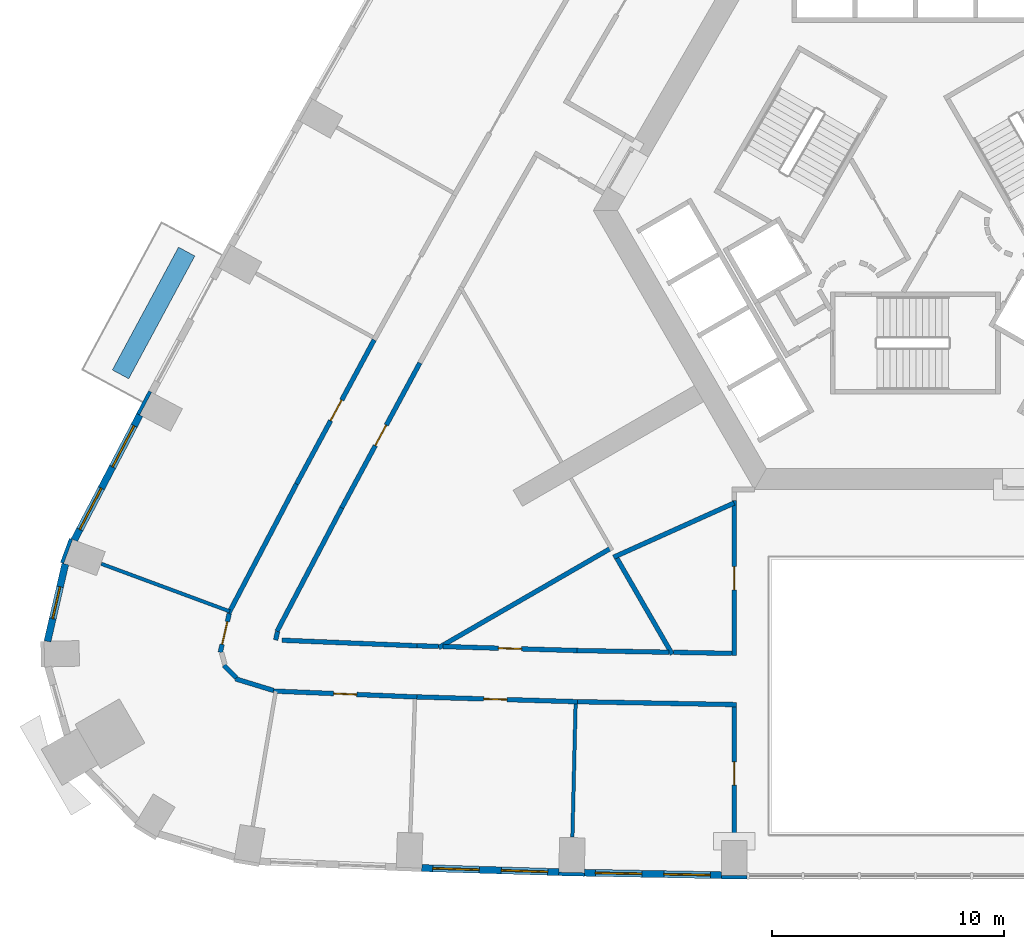
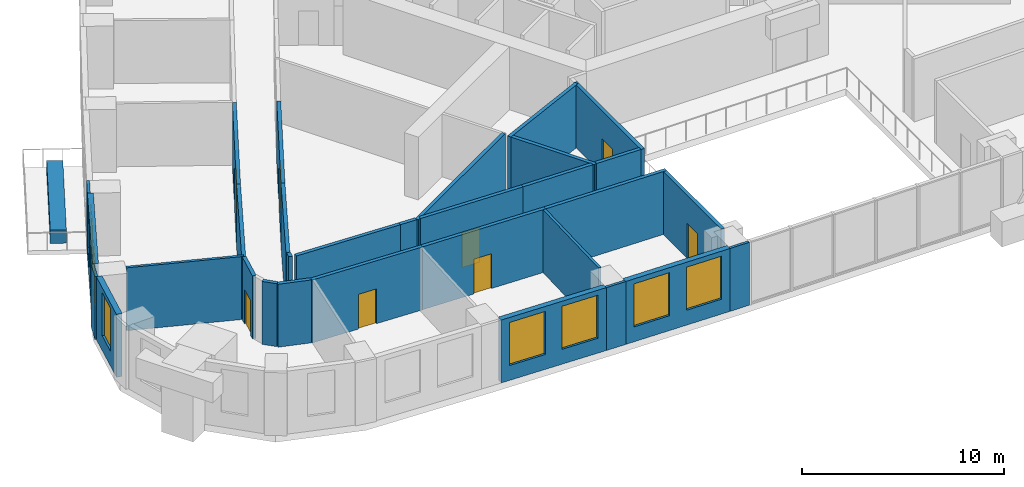
# One storey, part 4 of 16: 32 walls, 8 doors, 7 windows, 15 openings.
"""IFC4 building model written with IfcOpenShell, lengths in metres."""

from ifc_helpers import new_model, si_unit, direction, frame, frame_2d, origin, place, context, subcontext, project, spatial, rectangle, extrude, material, layer, layer_set, type_object, element, fill, save


model = new_model("IFC4")

# Units and contexts
model_context = context("Model", 3, precision=1e-05, world=origin(), true_north=direction((0.0, 1.0)))
body_context = subcontext(model_context, "Body", "Model", "MODEL_VIEW")
ifc_project = project(units=[si_unit("LENGTHUNIT", "METRE"), si_unit("AREAUNIT", "SQUARE_METRE"), si_unit("VOLUMEUNIT", "CUBIC_METRE"), si_unit("PLANEANGLEUNIT", "RADIAN"), si_unit("MASSUNIT", "GRAM", prefix="KILO")], contexts=[model_context])

# Site, building, storey
site_placement = place(None, origin())
site = spatial("IfcSite", under=ifc_project, at=site_placement, CompositionType="ELEMENT")
building_placement = place(site_placement, origin())
building = spatial("IfcBuilding", under=site, at=building_placement, Name="Entoto Arch Interchange Tower", CompositionType="ELEMENT")
storey_placement = place(building_placement, frame((0.0, 0.0, 95.0)))
storey = spatial("IfcBuildingStorey", under=building, at=storey_placement, Name="L20", CompositionType="ELEMENT", Elevation=95.0)

# Walls
ifc_material_1 = material(Name="Gypsum board partition on steel studs", Category="steel")
ifc_layer_1 = layer(ifc_material_1, 0.14990234375)
ifc_layer_set_1 = layer_set([ifc_layer_1], Name="Gypsum board partition on steel studs")
wall_type_1 = type_object("IfcWallType", Name="PARTITION 150", PredefinedType="PARTITIONING", material=ifc_layer_set_1)
wall_1_placement = place(storey_placement, frame((-29.493896484375, -14.740966796875, 0.0), z_axis=(0.0, 0.0, 1.0), x_axis=(-0.937719767819, 0.347392626636, 0.0)))
element("IfcWall", 1, at=wall_1_placement, inside=storey, type_object=wall_type_1, Name="wall:L20:p128", PredefinedType="PARTITIONING", context=body_context, shape_type="SweptSolid", body=[
    extrude(rectangle(XDim=5.89208984375, YDim=0.14990234375, at=frame_2d((2.946044921875, 0.0))), origin(), (0.0, 0.0, 1.0), 3.800048828125),
])
wall_2_placement = place(storey_placement, frame((-14.616943359375, -18.72412109375, 0.0), z_axis=(0.0, 0.0, 1.0), x_axis=(-0.02407553942, -0.999710142192, 0.0)))
element("IfcWall", 2, at=wall_2_placement, inside=storey, type_object=wall_type_1, Name="wall:L20:p131", PredefinedType="PARTITIONING", context=body_context, shape_type="SweptSolid", body=[
    extrude(rectangle(XDim=5.7294921875, YDim=0.14990234375, at=frame_2d((2.86474609375, 0.0))), origin(), (0.0, 0.0, 1.0), 3.800048828125),
])
ifc_layer_2 = layer(ifc_material_1, 0.199951171875)
ifc_layer_set_2 = layer_set([ifc_layer_2], Name="Gypsum board partition on steel studs")
wall_type_2 = type_object("IfcWallType", Name="PARTITION 200", PredefinedType="PARTITIONING", material=ifc_layer_set_2)
wall_3_placement = place(storey_placement, frame((-10.407958984375, -16.5009765625, 0.0), z_axis=(0.0, 0.0, 1.0), x_axis=(0.999823568917, -0.018783797216, 0.0)))
element("IfcWall", 3, at=wall_3_placement, inside=storey, type_object=wall_type_2, Name="wall:L20:p022", PredefinedType="PARTITIONING", context=body_context, shape_type="SweptSolid", body=[
    extrude(rectangle(XDim=2.508544921875, YDim=0.199951171875, at=frame_2d((1.25439453125, 0.0))), origin(), (0.0, 0.0, 1.0), 3.800048828125),
])

# Wall, opening, door
wall_4_placement = place(storey_placement, frame((-21.31689453125, -4.052978515625, 0.0), z_axis=(0.0, 0.0, 1.0), x_axis=(-0.474391588657, -0.880313932987, 0.0)))
wall_4 = element("IfcWall", 4, at=wall_4_placement, inside=storey, type_object=wall_type_2, Name="wall:L20:p024", PredefinedType="PARTITIONING", context=body_context, shape_type="SweptSolid", body=[
    extrude(rectangle(XDim=7.0849609375, YDim=0.199951171875, at=frame_2d((3.54248046875, 0.0))), origin(), (0.0, 0.0, 1.0), 3.800048828125),
])
opening_1_placement = place(wall_4_placement, frame((3.0419921875, 0.0, 0.0)))
opening_1 = element("IfcOpeningElement", 5, at=opening_1_placement, cuts=wall_4, Name="Opening L20-D30", PredefinedType="OPENING", context=body_context, shape_type="SweptSolid", body=[
    extrude(rectangle(XDim=1.0, YDim=2.10009765625, at=frame_2d((0.5, 1.050048828125))), frame((0.0, 0.10986328125, 0.0), z_axis=(0.0, -1.0, 0.0), x_axis=(1.0, 0.0, 0.0)), (0.0, 0.0, 1.0), 0.219970703125),
])
ifc_material_2 = material(Name="Timber door leaf in Steel S235 frame", Category="steel")
door_type = type_object("IfcDoorType", Name="DOOR DS-10 1000x2100", OperationType="SINGLE_SWING_LEFT", PredefinedType="DOOR", material=ifc_material_2)
door_1_placement = place(opening_1_placement, origin())
door_1 = element("IfcDoor", 6, at=door_1_placement, inside=storey, type_object=door_type, Name="door:L20:30", OperationType="SINGLE_SWING_RIGHT", OverallHeight=2.10009765625, OverallWidth=1.0, PredefinedType="DOOR", context=body_context, shape_type="SweptSolid", body=[
    extrude(rectangle(XDim=1.0, YDim=2.10009765625, at=frame_2d((0.5, 1.050048828125))), frame((0.0, 0.02490234375, 0.0), z_axis=(0.0, -1.0, 0.0), x_axis=(1.0, 0.0, 0.0)), (0.0, 0.0, 1.0), 0.050048828125),
])
fill(opening_1, door_1)

# Walls
wall_5_placement = place(storey_placement, frame((-24.677978515625, -10.2900390625, 0.0), z_axis=(0.0, 0.0, 1.0), x_axis=(-0.464203280494, -0.885728691179, 0.0)))
element("IfcWall", 7, at=wall_5_placement, inside=storey, type_object=wall_type_2, Name="wall:L20:p025", PredefinedType="PARTITIONING", context=body_context, shape_type="SweptSolid", body=[
    extrude(rectangle(XDim=5.9951171875, YDim=0.199951171875, at=frame_2d((2.99755859375, 0.0))), origin(), (0.0, 0.0, 1.0), 3.800048828125),
])
wall_6_placement = place(storey_placement, frame((-27.43701171875, -15.60888671875, 0.0), z_axis=(0.0, 0.0, 1.0), x_axis=(-0.224098195188, -0.97456656977, 0.0)))
element("IfcWall", 8, at=wall_6_placement, inside=storey, type_object=wall_type_2, Name="wall:L20:p026", PredefinedType="PARTITIONING", context=body_context, shape_type="SweptSolid", body=[
    extrude(rectangle(XDim=0.374755859375, YDim=0.199951171875, at=frame_2d((0.1875, 0.0))), origin(), (0.0, 0.0, 1.0), 3.800048828125),
])
wall_7_placement = place(storey_placement, frame((-27.239990234375, -15.98193359375, 0.0), z_axis=(0.0, 0.0, 1.0), x_axis=(0.999157128819, -0.041049140426, 0.0)))
element("IfcWall", 9, at=wall_7_placement, inside=storey, type_object=wall_type_2, Name="wall:L20:p027", PredefinedType="PARTITIONING", context=body_context, shape_type="SweptSolid", body=[
    extrude(rectangle(XDim=5.798828125, YDim=0.199951171875, at=frame_2d((2.8994140625, 0.0))), origin(), (0.0, 0.0, 1.0), 3.800048828125),
])
wall_8_placement = place(storey_placement, frame((-21.446044921875, -16.219970703125, 0.0), z_axis=(0.0, 0.0, 1.0), x_axis=(0.999542625536, -0.030241358047, 0.0)))
element("IfcWall", 10, at=wall_8_placement, inside=storey, type_object=wall_type_2, Name="wall:L20:p028", PredefinedType="PARTITIONING", context=body_context, shape_type="SweptSolid", body=[
    extrude(rectangle(XDim=0.928466796875, YDim=0.199951171875, at=frame_2d((0.46435546875, 0.0))), origin(), (0.0, 0.0, 1.0), 3.800048828125),
])

# Wall, opening, door
wall_9_placement = place(storey_placement, frame((-20.318115234375, -16.2529296875, 0.0), z_axis=(0.0, 0.0, 1.0), x_axis=(0.999553385537, -0.029883598524, 0.0)))
wall_9 = element("IfcWall", 11, at=wall_9_placement, inside=storey, type_object=wall_type_2, Name="wall:L20:p029", PredefinedType="PARTITIONING", context=body_context, shape_type="SweptSolid", body=[
    extrude(rectangle(XDim=5.759765625, YDim=0.199951171875, at=frame_2d((2.8798828125, 0.0))), origin(), (0.0, 0.0, 1.0), 3.800048828125),
])
opening_2_placement = place(wall_9_placement, frame((2.3798828125, 0.0, 0.0)))
opening_2 = element("IfcOpeningElement", 12, at=opening_2_placement, cuts=wall_9, Name="Opening L20-D31", PredefinedType="OPENING", context=body_context, shape_type="SweptSolid", body=[
    extrude(rectangle(XDim=1.0, YDim=2.10009765625, at=frame_2d((0.5, 1.050048828125))), frame((0.0, 0.10986328125, 0.0), z_axis=(0.0, -1.0, 0.0), x_axis=(1.0, 0.0, 0.0)), (0.0, 0.0, 1.0), 0.219970703125),
])
door_2_placement = place(opening_2_placement, origin())
door_2 = element("IfcDoor", 13, at=door_2_placement, inside=storey, type_object=door_type, Name="door:L20:31", OperationType="SINGLE_SWING_LEFT", OverallHeight=2.10009765625, OverallWidth=1.0, PredefinedType="DOOR", context=body_context, shape_type="SweptSolid", body=[
    extrude(rectangle(XDim=1.0, YDim=2.10009765625, at=frame_2d((0.5, 1.050048828125))), frame((0.0, 0.02490234375, 0.0), z_axis=(0.0, -1.0, 0.0), x_axis=(1.0, 0.0, 0.0)), (0.0, 0.0, 1.0), 0.050048828125),
])
fill(opening_2, door_2)

# Walls
wall_10_placement = place(storey_placement, frame((-14.56103515625, -16.425048828125, 0.0), z_axis=(0.0, 0.0, 1.0), x_axis=(0.999829548691, -0.018462761553, 0.0)))
element("IfcWall", 14, at=wall_10_placement, inside=storey, type_object=wall_type_2, Name="wall:L20:p030", PredefinedType="PARTITIONING", context=body_context, shape_type="SweptSolid", body=[
    extrude(rectangle(XDim=3.953857421875, YDim=0.199951171875, at=frame_2d((1.97705078125, 0.0))), origin(), (0.0, 0.0, 1.0), 3.800048828125),
])
wall_11_placement = place(storey_placement, frame((-29.541015625, -14.8291015625, 0.0), z_axis=(0.0, 0.0, 1.0), x_axis=(0.46422598759, 0.885716790202, 0.0)))
element("IfcWall", 15, at=wall_11_placement, inside=storey, type_object=wall_type_2, Name="wall:L20:p057", PredefinedType="PARTITIONING", context=body_context, shape_type="SweptSolid", body=[
    extrude(rectangle(XDim=6.289794921875, YDim=0.199951171875, at=frame_2d((3.14501953125, 0.0))), origin(), (0.0, 0.0, 1.0), 3.800048828125),
])

# Wall, opening, door
wall_12_placement = place(storey_placement, frame((-26.62109375, -9.258056640625, 0.0), z_axis=(0.0, 0.0, 1.0), x_axis=(0.474414295505, 0.880301696136, 0.0)))
wall_12 = element("IfcWall", 16, at=wall_12_placement, inside=storey, type_object=wall_type_2, Name="wall:L20:p058", PredefinedType="PARTITIONING", context=body_context, shape_type="SweptSolid", body=[
    extrude(rectangle(XDim=7.036376953125, YDim=0.199951171875, at=frame_2d((3.51806640625, 0.0))), origin(), (0.0, 0.0, 1.0), 3.800048828125),
])
opening_3_placement = place(wall_12_placement, frame((3.093017578125, 0.0, 0.0)))
opening_3 = element("IfcOpeningElement", 17, at=opening_3_placement, cuts=wall_12, Name="Opening L20-D18", PredefinedType="OPENING", context=body_context, shape_type="SweptSolid", body=[
    extrude(rectangle(XDim=1.0, YDim=2.10009765625, at=frame_2d((0.5, 1.050048828125))), frame((0.0, 0.10986328125, 0.0), z_axis=(0.0, -1.0, 0.0), x_axis=(1.0, 0.0, 0.0)), (0.0, 0.0, 1.0), 0.219970703125),
])
door_3_placement = place(opening_3_placement, origin())
door_3 = element("IfcDoor", 18, at=door_3_placement, inside=storey, type_object=door_type, Name="door:L20:18", OperationType="SINGLE_SWING_LEFT", OverallHeight=2.10009765625, OverallWidth=1.0, PredefinedType="DOOR", context=body_context, shape_type="SweptSolid", body=[
    extrude(rectangle(XDim=1.0, YDim=2.10009765625, at=frame_2d((0.5, 1.050048828125))), frame((0.0, 0.02490234375, 0.0), z_axis=(0.0, -1.0, 0.0), x_axis=(1.0, 0.0, 0.0)), (0.0, 0.0, 1.0), 0.050048828125),
])
fill(opening_3, door_3)

# Walls
wall_13_placement = place(storey_placement, frame((-27.60791015625, -18.14404296875, 0.0), z_axis=(0.0, 0.0, 1.0), x_axis=(-0.956137025409, 0.292919764852, 0.0)))
element("IfcWall", 19, at=wall_13_placement, inside=storey, type_object=wall_type_2, Name="wall:L20:p059", PredefinedType="PARTITIONING", context=body_context, shape_type="SweptSolid", body=[
    extrude(rectangle(XDim=1.70703125, YDim=0.199951171875, at=frame_2d((0.853515625, 0.0))), origin(), (0.0, 0.0, 1.0), 3.800048828125),
])
wall_14_placement = place(storey_placement, frame((-29.215087890625, -17.60205078125, 0.0), z_axis=(0.0, 0.0, 1.0), x_axis=(-0.698331924638, 0.715774072617, 0.0)))
element("IfcWall", 20, at=wall_14_placement, inside=storey, type_object=wall_type_2, Name="wall:L20:p060", PredefinedType="PARTITIONING", context=body_context, shape_type="SweptSolid", body=[
    extrude(rectangle(XDim=0.755859375, YDim=0.199951171875, at=frame_2d((0.3779296875, 0.0))), origin(), (0.0, 0.0, 1.0), 3.800048828125),
])

# Wall, opening, door
wall_15_placement = place(storey_placement, frame((-29.89990234375, -16.5009765625, 0.0), z_axis=(0.0, 0.0, 1.0), x_axis=(0.224316169854, 0.974516421587, 0.0)))
wall_15 = element("IfcWall", 21, at=wall_15_placement, inside=storey, type_object=wall_type_2, Name="wall:L20:p062", PredefinedType="PARTITIONING", context=body_context, shape_type="SweptSolid", body=[
    extrude(rectangle(XDim=1.70654296875, YDim=0.199951171875, at=frame_2d((0.853271484375, 0.0))), origin(), (0.0, 0.0, 1.0), 3.800048828125),
])
opening_4_placement = place(wall_15_placement, frame((0.35302734375, 0.0, 0.0)))
opening_4 = element("IfcOpeningElement", 22, at=opening_4_placement, cuts=wall_15, Name="Opening L20-D19", PredefinedType="OPENING", context=body_context, shape_type="SweptSolid", body=[
    extrude(rectangle(XDim=1.0, YDim=2.10009765625, at=frame_2d((0.5, 1.050048828125))), frame((0.0, 0.10986328125, 0.0), z_axis=(0.0, -1.0, 0.0), x_axis=(1.0, 0.0, 0.0)), (0.0, 0.0, 1.0), 0.219970703125),
])
door_4_placement = place(opening_4_placement, origin())
door_4 = element("IfcDoor", 23, at=door_4_placement, inside=storey, type_object=door_type, Name="door:L20:19", OperationType="SINGLE_SWING_RIGHT", OverallHeight=2.10009765625, OverallWidth=1.0, PredefinedType="DOOR", context=body_context, shape_type="SweptSolid", body=[
    extrude(rectangle(XDim=1.0, YDim=2.10009765625, at=frame_2d((0.5, 1.050048828125))), frame((0.0, 0.02490234375, 0.0), z_axis=(0.0, -1.0, 0.0), x_axis=(1.0, 0.0, 0.0)), (0.0, 0.0, 1.0), 0.050048828125),
])
fill(opening_4, door_4)

wall_16_placement = place(storey_placement, frame((-21.448974609375, -18.422119140625, 0.0), z_axis=(0.0, 0.0, 1.0), x_axis=(-0.999157588083, 0.041037960189, 0.0)))
wall_16 = element("IfcWall", 24, at=wall_16_placement, inside=storey, type_object=wall_type_2, Name="wall:L20:p063", PredefinedType="PARTITIONING", context=body_context, shape_type="SweptSolid", body=[
    extrude(rectangle(XDim=6.169189453125, YDim=0.199951171875, at=frame_2d((3.08447265625, 0.0))), origin(), (0.0, 0.0, 1.0), 3.800048828125),
])
opening_5_placement = place(wall_16_placement, frame((2.583984375, 0.0, 0.0)))
opening_5 = element("IfcOpeningElement", 25, at=opening_5_placement, cuts=wall_16, Name="Opening L20-D20", PredefinedType="OPENING", context=body_context, shape_type="SweptSolid", body=[
    extrude(rectangle(XDim=1.0, YDim=2.10009765625, at=frame_2d((0.5, 1.050048828125))), frame((0.0, 0.10986328125, 0.0), z_axis=(0.0, -1.0, 0.0), x_axis=(1.0, 0.0, 0.0)), (0.0, 0.0, 1.0), 0.219970703125),
])
door_5_placement = place(opening_5_placement, origin())
door_5 = element("IfcDoor", 26, at=door_5_placement, inside=storey, type_object=door_type, Name="door:L20:20", OperationType="SINGLE_SWING_LEFT", OverallHeight=2.10009765625, OverallWidth=1.0, PredefinedType="DOOR", context=body_context, shape_type="SweptSolid", body=[
    extrude(rectangle(XDim=1.0, YDim=2.10009765625, at=frame_2d((0.5, 1.050048828125))), frame((0.0, 0.02490234375, 0.0), z_axis=(0.0, -1.0, 0.0), x_axis=(1.0, 0.0, 0.0)), (0.0, 0.0, 1.0), 0.050048828125),
])
fill(opening_5, door_5)

wall_17_placement = place(storey_placement, frame((-14.5390625, -18.6259765625, 0.0), z_axis=(0.0, 0.0, 1.0), x_axis=(-0.999555675329, 0.029806910574, 0.0)))
wall_17 = element("IfcWall", 27, at=wall_17_placement, inside=storey, type_object=wall_type_2, Name="wall:L20:p064", PredefinedType="PARTITIONING", context=body_context, shape_type="SweptSolid", body=[
    extrude(rectangle(XDim=6.9130859375, YDim=0.199951171875, at=frame_2d((3.45654296875, 0.0))), origin(), (0.0, 0.0, 1.0), 3.800048828125),
])
opening_6_placement = place(wall_17_placement, frame((3.031005859375, 0.0, 0.0)))
opening_6 = element("IfcOpeningElement", 28, at=opening_6_placement, cuts=wall_17, Name="Opening L20-D21", PredefinedType="OPENING", context=body_context, shape_type="SweptSolid", body=[
    extrude(rectangle(XDim=1.0, YDim=2.10009765625, at=frame_2d((0.5, 1.050048828125))), frame((0.0, 0.10986328125, 0.0), z_axis=(0.0, -1.0, 0.0), x_axis=(1.0, 0.0, 0.0)), (0.0, 0.0, 1.0), 0.219970703125),
])
door_6_placement = place(opening_6_placement, origin())
door_6 = element("IfcDoor", 29, at=door_6_placement, inside=storey, type_object=door_type, Name="door:L20:21", OperationType="SINGLE_SWING_LEFT", OverallHeight=2.10009765625, OverallWidth=1.0, PredefinedType="DOOR", context=body_context, shape_type="SweptSolid", body=[
    extrude(rectangle(XDim=1.0, YDim=2.10009765625, at=frame_2d((0.5, 1.050048828125))), frame((0.0, 0.02490234375, 0.0), z_axis=(0.0, -1.0, 0.0), x_axis=(1.0, 0.0, 0.0)), (0.0, 0.0, 1.0), 0.050048828125),
])
fill(opening_6, door_6)

# Wall
wall_18_placement = place(storey_placement, frame((-7.699951171875, -18.751953125, 0.0), z_axis=(0.0, 0.0, 1.0), x_axis=(-0.999830394604, 0.018416895142, 0.0)))
element("IfcWall", 30, at=wall_18_placement, inside=storey, type_object=wall_type_2, Name="wall:L20:p065", PredefinedType="PARTITIONING", context=body_context, shape_type="SweptSolid", body=[
    extrude(rectangle(XDim=6.84033203125, YDim=0.199951171875, at=frame_2d((3.420166015625, 0.0))), origin(), (0.0, 0.0, 1.0), 3.800048828125),
])

# Wall, opening, door
wall_19_placement = place(storey_placement, frame((-7.800048828125, -16.64892578125, 0.0), z_axis=(0.0, 0.0, 1.0), x_axis=(0.0, 1.0, 0.0)))
wall_19 = element("IfcWall", 31, at=wall_19_placement, inside=storey, type_object=wall_type_2, Name="wall:L20:p096", PredefinedType="PARTITIONING", context=body_context, shape_type="SweptSolid", body=[
    extrude(rectangle(XDim=6.6689453125, YDim=0.199951171875, at=frame_2d((3.33447265625, 0.0))), origin(), (0.0, 0.0, 1.0), 3.800048828125),
])
opening_7_placement = place(wall_19_placement, frame((2.8349609375, 0.0, 0.0)))
opening_7 = element("IfcOpeningElement", 32, at=opening_7_placement, cuts=wall_19, Name="Opening L20-D29", PredefinedType="OPENING", context=body_context, shape_type="SweptSolid", body=[
    extrude(rectangle(XDim=1.0, YDim=2.10009765625, at=frame_2d((0.5, 1.050048828125))), frame((0.0, 0.10986328125, 0.0), z_axis=(0.0, -1.0, 0.0), x_axis=(1.0, 0.0, 0.0)), (0.0, 0.0, 1.0), 0.219970703125),
])
door_7_placement = place(opening_7_placement, origin())
door_7 = element("IfcDoor", 33, at=door_7_placement, inside=storey, type_object=door_type, Name="door:L20:29", OperationType="SINGLE_SWING_LEFT", OverallHeight=2.10009765625, OverallWidth=1.0, PredefinedType="DOOR", context=body_context, shape_type="SweptSolid", body=[
    extrude(rectangle(XDim=1.0, YDim=2.10009765625, at=frame_2d((0.5, 1.050048828125))), frame((0.0, 0.02490234375, 0.0), z_axis=(0.0, -1.0, 0.0), x_axis=(1.0, 0.0, 0.0)), (0.0, 0.0, 1.0), 0.050048828125),
])
fill(opening_7, door_7)

wall_20_placement = place(storey_placement, frame((-7.800048828125, -24.5810546875, 0.0), z_axis=(0.0, 0.0, 1.0), x_axis=(0.0, 1.0, 0.0)))
wall_20 = element("IfcWall", 34, at=wall_20_placement, inside=storey, type_object=wall_type_2, Name="wall:L20:p098", PredefinedType="PARTITIONING", context=body_context, shape_type="SweptSolid", body=[
    extrude(rectangle(XDim=5.73095703125, YDim=0.199951171875, at=frame_2d((2.865478515625, 0.0))), origin(), (0.0, 0.0, 1.0), 3.800048828125),
])
opening_8_placement = place(wall_20_placement, frame((2.365966796875, 0.0, 0.0)))
opening_8 = element("IfcOpeningElement", 35, at=opening_8_placement, cuts=wall_20, Name="Opening L20-D22", PredefinedType="OPENING", context=body_context, shape_type="SweptSolid", body=[
    extrude(rectangle(XDim=1.0, YDim=2.10009765625, at=frame_2d((0.5, 1.050048828125))), frame((0.0, 0.10986328125, 0.0), z_axis=(0.0, -1.0, 0.0), x_axis=(1.0, 0.0, 0.0)), (0.0, 0.0, 1.0), 0.219970703125),
])
door_8_placement = place(opening_8_placement, origin())
door_8 = element("IfcDoor", 36, at=door_8_placement, inside=storey, type_object=door_type, Name="door:L20:22", OperationType="SINGLE_SWING_LEFT", OverallHeight=2.10009765625, OverallWidth=1.0, PredefinedType="DOOR", context=body_context, shape_type="SweptSolid", body=[
    extrude(rectangle(XDim=1.0, YDim=2.10009765625, at=frame_2d((0.5, 1.050048828125))), frame((0.0, 0.02490234375, 0.0), z_axis=(0.0, -1.0, 0.0), x_axis=(1.0, 0.0, 0.0)), (0.0, 0.0, 1.0), 0.050048828125),
])
fill(opening_8, door_8)

# Walls
wall_21_placement = place(storey_placement, frame((-7.800048828125, -10.080078125, 0.0), z_axis=(0.0, 0.0, 1.0), x_axis=(-0.911938383636, -0.410327167577, 0.0)))
element("IfcWall", 37, at=wall_21_placement, inside=storey, type_object=wall_type_2, Name="wall:L20:p107", PredefinedType="PARTITIONING", context=body_context, shape_type="SweptSolid", body=[
    extrude(rectangle(XDim=5.683349609375, YDim=0.199951171875, at=frame_2d((2.841796875, 0.0))), origin(), (0.0, 0.0, 1.0), 3.800048828125),
])
wall_22_placement = place(storey_placement, frame((-10.4580078125, -16.5859375, 0.0), z_axis=(0.0, 0.0, 1.0), x_axis=(-0.500121439648, 0.865955279218, 0.0)))
element("IfcWall", 38, at=wall_22_placement, inside=storey, type_object=wall_type_2, Name="wall:L20:p109", PredefinedType="PARTITIONING", context=body_context, shape_type="SweptSolid", body=[
    extrude(rectangle(XDim=4.766845703125, YDim=0.199951171875, at=frame_2d((2.38330078125, 0.0))), origin(), (0.0, 0.0, 1.0), 3.800048828125),
])
wall_23_placement = place(storey_placement, frame((-13.072021484375, -12.009033203125, 0.0), z_axis=(0.0, 0.0, 1.0), x_axis=(-0.865993734772, -0.500054848326, 0.0)))
element("IfcWall", 39, at=wall_23_placement, inside=storey, type_object=wall_type_2, Name="wall:L20:p110", PredefinedType="PARTITIONING", context=body_context, shape_type="SweptSolid", body=[
    extrude(rectangle(XDim=8.5830078125, YDim=0.199951171875, at=frame_2d((4.29150390625, 0.0))), origin(), (0.0, 0.0, 1.0), 3.800048828125),
])
ifc_material_3 = material(Name="Board-marked precast concrete C50/60", Category="concrete")
ifc_layer_3 = layer(ifc_material_3, 0.800048828125)
ifc_layer_set_3 = layer_set([ifc_layer_3], Name="Board-marked precast concrete C50/60")
wall_type_3 = type_object("IfcWallType", Name="PLANTER RC 800 Olea europaea subsp. cuspidata", PredefinedType="STANDARD", material=ifc_layer_set_3)
wall_24_placement = place(storey_placement, frame((-31.345947265625, 0.735107421875, 0.0), z_axis=(0.0, 0.0, 1.0), x_axis=(-0.474400726458, -0.880309008665, 0.0)))
element("IfcWall", 40, at=wall_24_placement, inside=storey, type_object=wall_type_3, Name="Planter NW-07 L20", PredefinedType="STANDARD", context=body_context, shape_type="SweptSolid", body=[
    extrude(rectangle(XDim=5.9990234375, YDim=0.800048828125, at=frame_2d((2.99951171875, 0.0))), origin(), (0.0, 0.0, 1.0), 0.800048828125),
])

# Wall, openings, windows
ifc_material_4 = material(Name="Welded tuff (ignimbrite) cladding, warm buff", Category="masonry")
ifc_layer_4 = layer(ifc_material_4, 0.300048828125)
ifc_layer_set_4 = layer_set([ifc_layer_4], Name="Welded tuff (ignimbrite) cladding, warm buff")
wall_type_4 = type_object("IfcWallType", Name="STONE INFILL WALL 300", PredefinedType="STANDARD", material=ifc_layer_set_4)
wall_25_placement = place(storey_placement, frame((-21.235107421875, -25.780029296875, 0.0), z_axis=(0.0, 0.0, 1.0), x_axis=(0.999554487555, -0.029846715213, 0.0)))
wall_25 = element("IfcWall", 41, at=wall_25_placement, inside=storey, type_object=wall_type_4, Name="Facade wall S-02 L20", PredefinedType="STANDARD", context=body_context, shape_type="SweptSolid", body=[
    extrude(rectangle(XDim=5.897705078125, YDim=0.300048828125, at=frame_2d((2.94873046875, 0.0))), origin(), (0.0, 0.0, 1.0), 3.800048828125),
])
opening_9_placement = place(wall_25_placement, frame((0.47412109375, 0.0, 0.89990234375)))
opening_9 = element("IfcOpeningElement", 42, at=opening_9_placement, cuts=wall_25, Name="Opening WO-C", PredefinedType="OPENING", context=body_context, shape_type="SweptSolid", body=[
    extrude(rectangle(XDim=2.0, YDim=2.60009765625, at=frame_2d((1.0, 1.300048828125))), frame((0.0, 0.16015625, 0.0), z_axis=(0.0, -1.0, 0.0), x_axis=(1.0, 0.0, 0.0)), (0.0, 0.0, 1.0), 0.320068359375),
])
opening_10_placement = place(wall_25_placement, frame((3.423095703125, 0.0, 0.89990234375)))
opening_10 = element("IfcOpeningElement", 43, at=opening_10_placement, cuts=wall_25, Name="Opening WO-C", PredefinedType="OPENING", context=body_context, shape_type="SweptSolid", body=[
    extrude(rectangle(XDim=2.0, YDim=2.60009765625, at=frame_2d((1.0, 1.300048828125))), frame((0.0, 0.16015625, 0.0), z_axis=(0.0, -1.0, 0.0), x_axis=(1.0, 0.0, 0.0)), (0.0, 0.0, 1.0), 0.320068359375),
])
ifc_material_5 = material(Name="Clear glass, low-e double glazed", Category="glass")
window_type_1 = type_object("IfcWindowType", Name="WINDOW WO-C 2000x2600", PartitioningType="DOUBLE_PANEL_VERTICAL", PredefinedType="WINDOW", material=ifc_material_5)
window_1_placement = place(opening_9_placement, origin())
window_1 = element("IfcWindow", 44, at=window_1_placement, inside=storey, type_object=window_type_1, Name="Window WO-C S-02 L20", OverallHeight=2.60009765625, OverallWidth=2.0, PartitioningType="SINGLE_PANEL", PredefinedType="WINDOW", context=body_context, shape_type="SweptSolid", body=[
    extrude(rectangle(XDim=2.0, YDim=2.60009765625, at=frame_2d((1.0, 1.300048828125))), frame((0.0, 0.030029296875, 0.0), z_axis=(0.0, -1.0, 0.0), x_axis=(1.0, 0.0, 0.0)), (0.0, 0.0, 1.0), 0.06005859375),
])
fill(opening_9, window_1)
window_2_placement = place(opening_10_placement, origin())
window_2 = element("IfcWindow", 45, at=window_2_placement, inside=storey, type_object=window_type_1, Name="Window WO-C S-02 L20", OverallHeight=2.60009765625, OverallWidth=2.0, PartitioningType="SINGLE_PANEL", PredefinedType="WINDOW", context=body_context, shape_type="SweptSolid", body=[
    extrude(rectangle(XDim=2.0, YDim=2.60009765625, at=frame_2d((1.0, 1.300048828125))), frame((0.0, 0.030029296875, 0.0), z_axis=(0.0, -1.0, 0.0), x_axis=(1.0, 0.0, 0.0)), (0.0, 0.0, 1.0), 0.06005859375),
])
fill(opening_10, window_2)

wall_26_placement = place(storey_placement, frame((-14.241943359375, -25.98193359375, 0.0), z_axis=(0.0, 0.0, 1.0), x_axis=(0.999828633111, -0.018512277318, 0.0)))
wall_26 = element("IfcWall", 46, at=wall_26_placement, inside=storey, type_object=wall_type_4, Name="Facade wall S-03 L20", PredefinedType="STANDARD", context=body_context, shape_type="SweptSolid", body=[
    extrude(rectangle(XDim=5.89501953125, YDim=0.300048828125, at=frame_2d((2.947509765625, 0.0))), origin(), (0.0, 0.0, 1.0), 3.800048828125),
])
opening_11_placement = place(wall_26_placement, frame((0.47412109375, 0.0, 0.89990234375)))
opening_11 = element("IfcOpeningElement", 47, at=opening_11_placement, cuts=wall_26, Name="Opening WO-C", PredefinedType="OPENING", context=body_context, shape_type="SweptSolid", body=[
    extrude(rectangle(XDim=2.0, YDim=2.60009765625, at=frame_2d((1.0, 1.300048828125))), frame((0.0, 0.16015625, 0.0), z_axis=(0.0, -1.0, 0.0), x_axis=(1.0, 0.0, 0.0)), (0.0, 0.0, 1.0), 0.320068359375),
])
opening_12_placement = place(wall_26_placement, frame((3.4208984375, 0.0, 0.89990234375)))
opening_12 = element("IfcOpeningElement", 48, at=opening_12_placement, cuts=wall_26, Name="Opening WO-C", PredefinedType="OPENING", context=body_context, shape_type="SweptSolid", body=[
    extrude(rectangle(XDim=2.0, YDim=2.60009765625, at=frame_2d((1.0, 1.300048828125))), frame((0.0, 0.16015625, 0.0), z_axis=(0.0, -1.0, 0.0), x_axis=(1.0, 0.0, 0.0)), (0.0, 0.0, 1.0), 0.320068359375),
])
window_3_placement = place(opening_11_placement, origin())
window_3 = element("IfcWindow", 49, at=window_3_placement, inside=storey, type_object=window_type_1, Name="Window WO-C S-03 L20", OverallHeight=2.60009765625, OverallWidth=2.0, PartitioningType="SINGLE_PANEL", PredefinedType="WINDOW", context=body_context, shape_type="SweptSolid", body=[
    extrude(rectangle(XDim=2.0, YDim=2.60009765625, at=frame_2d((1.0, 1.300048828125))), frame((0.0, 0.030029296875, 0.0), z_axis=(0.0, -1.0, 0.0), x_axis=(1.0, 0.0, 0.0)), (0.0, 0.0, 1.0), 0.06005859375),
])
fill(opening_11, window_3)
window_4_placement = place(opening_12_placement, origin())
window_4 = element("IfcWindow", 50, at=window_4_placement, inside=storey, type_object=window_type_1, Name="Window WO-C S-03 L20", OverallHeight=2.60009765625, OverallWidth=2.0, PartitioningType="SINGLE_PANEL", PredefinedType="WINDOW", context=body_context, shape_type="SweptSolid", body=[
    extrude(rectangle(XDim=2.0, YDim=2.60009765625, at=frame_2d((1.0, 1.300048828125))), frame((0.0, 0.030029296875, 0.0), z_axis=(0.0, -1.0, 0.0), x_axis=(1.0, 0.0, 0.0)), (0.0, 0.0, 1.0), 0.06005859375),
])
fill(opening_12, window_4)

wall_27_placement = place(storey_placement, frame((-33.365966796875, -6.294921875, 0.0), z_axis=(0.0, 0.0, 1.0), x_axis=(-0.464187178015, -0.885737130173, 0.0)))
wall_27 = element("IfcWall", 51, at=wall_27_placement, inside=storey, type_object=wall_type_4, Name="Facade wall NW-08 L20", PredefinedType="STANDARD", context=body_context, shape_type="SweptSolid", body=[
    extrude(rectangle(XDim=6.0751953125, YDim=0.300048828125, at=frame_2d((3.03759765625, 0.0))), origin(), (0.0, 0.0, 1.0), 3.800048828125),
])
opening_13_placement = place(wall_27_placement, frame((0.51904296875, 0.0, 0.89990234375)))
opening_13 = element("IfcOpeningElement", 52, at=opening_13_placement, cuts=wall_27, Name="Opening WO-C", PredefinedType="OPENING", context=body_context, shape_type="SweptSolid", body=[
    extrude(rectangle(XDim=2.0, YDim=2.60009765625, at=frame_2d((1.0, 1.300048828125))), frame((0.0, 0.16015625, 0.0), z_axis=(0.0, -1.0, 0.0), x_axis=(1.0, 0.0, 0.0)), (0.0, 0.0, 1.0), 0.320068359375),
])
opening_14_placement = place(wall_27_placement, frame((3.555908203125, 0.0, 0.89990234375)))
opening_14 = element("IfcOpeningElement", 53, at=opening_14_placement, cuts=wall_27, Name="Opening WO-C", PredefinedType="OPENING", context=body_context, shape_type="SweptSolid", body=[
    extrude(rectangle(XDim=2.0, YDim=2.60009765625, at=frame_2d((1.0, 1.300048828125))), frame((0.0, 0.16015625, 0.0), z_axis=(0.0, -1.0, 0.0), x_axis=(1.0, 0.0, 0.0)), (0.0, 0.0, 1.0), 0.320068359375),
])
window_5_placement = place(opening_13_placement, origin())
window_5 = element("IfcWindow", 54, at=window_5_placement, inside=storey, type_object=window_type_1, Name="Window WO-C NW-08 L20", OverallHeight=2.60009765625, OverallWidth=2.0, PartitioningType="SINGLE_PANEL", PredefinedType="WINDOW", context=body_context, shape_type="SweptSolid", body=[
    extrude(rectangle(XDim=2.0, YDim=2.60009765625, at=frame_2d((1.0, 1.300048828125))), frame((0.0, 0.030029296875, 0.0), z_axis=(0.0, -1.0, 0.0), x_axis=(1.0, 0.0, 0.0)), (0.0, 0.0, 1.0), 0.06005859375),
])
fill(opening_13, window_5)
window_6_placement = place(opening_14_placement, origin())
window_6 = element("IfcWindow", 55, at=window_6_placement, inside=storey, type_object=window_type_1, Name="Window WO-C NW-08 L20", OverallHeight=2.60009765625, OverallWidth=2.0, PartitioningType="SINGLE_PANEL", PredefinedType="WINDOW", context=body_context, shape_type="SweptSolid", body=[
    extrude(rectangle(XDim=2.0, YDim=2.60009765625, at=frame_2d((1.0, 1.300048828125))), frame((0.0, 0.030029296875, 0.0), z_axis=(0.0, -1.0, 0.0), x_axis=(1.0, 0.0, 0.0)), (0.0, 0.0, 1.0), 0.06005859375),
])
fill(opening_14, window_6)

# Wall, opening, window
wall_28_placement = place(storey_placement, frame((-36.568115234375, -12.7060546875, 0.0), z_axis=(0.0, 0.0, 1.0), x_axis=(-0.224859506699, -0.974391195695, 0.0)))
wall_28 = element("IfcWall", 56, at=wall_28_placement, inside=storey, type_object=wall_type_4, Name="Facade wall SW-01 L20", PredefinedType="STANDARD", context=body_context, shape_type="SweptSolid", body=[
    extrude(rectangle(XDim=3.410400390625, YDim=0.300048828125, at=frame_2d((1.705078125, 0.0))), origin(), (0.0, 0.0, 1.0), 3.800048828125),
])
opening_15_placement = place(wall_28_placement, frame((1.0048828125, 0.0, 0.89990234375)))
opening_15 = element("IfcOpeningElement", 57, at=opening_15_placement, cuts=wall_28, Name="Opening WO-B", PredefinedType="OPENING", context=body_context, shape_type="SweptSolid", body=[
    extrude(rectangle(XDim=1.39990234375, YDim=2.60009765625, at=frame_2d((0.699951171875, 1.300048828125))), frame((0.0, 0.16015625, 0.0), z_axis=(0.0, -1.0, 0.0), x_axis=(1.0, 0.0, 0.0)), (0.0, 0.0, 1.0), 0.320068359375),
])
window_type_2 = type_object("IfcWindowType", Name="WINDOW WO-B 1400x2600", PartitioningType="DOUBLE_PANEL_VERTICAL", PredefinedType="WINDOW", material=ifc_material_5)
window_7_placement = place(opening_15_placement, origin())
window_7 = element("IfcWindow", 58, at=window_7_placement, inside=storey, type_object=window_type_2, Name="Window WO-B SW-01 L20", OverallHeight=2.60009765625, OverallWidth=1.39990234375, PartitioningType="SINGLE_PANEL", PredefinedType="WINDOW", context=body_context, shape_type="SweptSolid", body=[
    extrude(rectangle(XDim=1.39990234375, YDim=2.60009765625, at=frame_2d((0.699951171875, 1.300048828125))), frame((0.0, 0.030029296875, 0.0), z_axis=(0.0, -1.0, 0.0), x_axis=(1.0, 0.0, 0.0)), (0.0, 0.0, 1.0), 0.06005859375),
])
fill(opening_15, window_7)

# Walls
ifc_layer_5 = layer(ifc_material_4, 0.14990234375)
ifc_layer_set_5 = layer_set([ifc_layer_5], Name="Welded tuff (ignimbrite) cladding, warm buff")
wall_type_5 = type_object("IfcWallType", Name="STONE PIER CLADDING 150", PredefinedType="STANDARD", material=ifc_layer_set_5)
wall_29_placement = place(storey_placement, frame((-32.919921875, -5.2880859375, 0.0), z_axis=(0.0, 0.0, 1.0), x_axis=(-0.469366248657, -0.883003581319, 0.0)))
element("IfcWall", 59, at=wall_29_placement, inside=storey, type_object=wall_type_5, Name="Stone pier NW08 L20", PredefinedType="STANDARD", context=body_context, shape_type="SweptSolid", body=[
    extrude(rectangle(XDim=1.099609375, YDim=0.14990234375, at=frame_2d((0.5498046875, 0.0))), origin(), (0.0, 0.0, 1.0), 3.800048828125),
])
for number, where, z_axis, x_axis, name in (
    (60, (-36.323974609375, -11.6240234375, 0.0), (0.0, 0.0, 1.0), (-0.347205967468, -0.937788897436, 0.0), "Stone pier NW09 L20"),
    (61, (-15.343017578125, -26.033935546875, 0.0), (0.0, 0.0, 1.0), (0.999718180159, -0.023739424163, 0.0), "Stone pier S03 L20"),
):
    element("IfcWall", number, at=place(storey_placement, frame(where, z_axis=z_axis, x_axis=x_axis)), inside=storey, type_object=wall_type_5, Name=name, PredefinedType="STANDARD", context=body_context, shape_type="SweptSolid", body=[
        extrude(rectangle(XDim=1.100341796875, YDim=0.14990234375, at=frame_2d((0.55029296875, 0.0))), origin(), (0.0, 0.0, 1.0), 3.800048828125),
    ])
wall_30_placement = place(storey_placement, frame((-8.34912109375, -26.1708984375, 0.0), z_axis=(0.0, 0.0, 1.0), x_axis=(0.99995860686, -0.009098602504, 0.0)))
element("IfcWall", 62, at=wall_30_placement, inside=storey, type_object=wall_type_5, Name="Stone pier S04 L20", PredefinedType="STANDARD", context=body_context, shape_type="SweptSolid", body=[
    extrude(rectangle(XDim=1.10009765625, YDim=0.14990234375, at=frame_2d((0.550048828125, 0.0))), origin(), (0.0, 0.0, 1.0), 3.800048828125),
])

save(model, "model.ifc")
